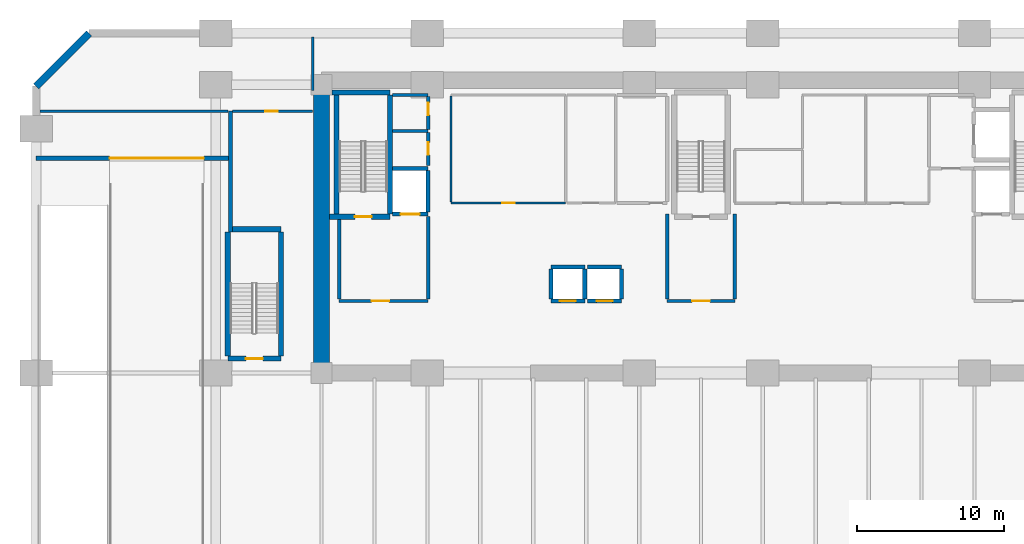
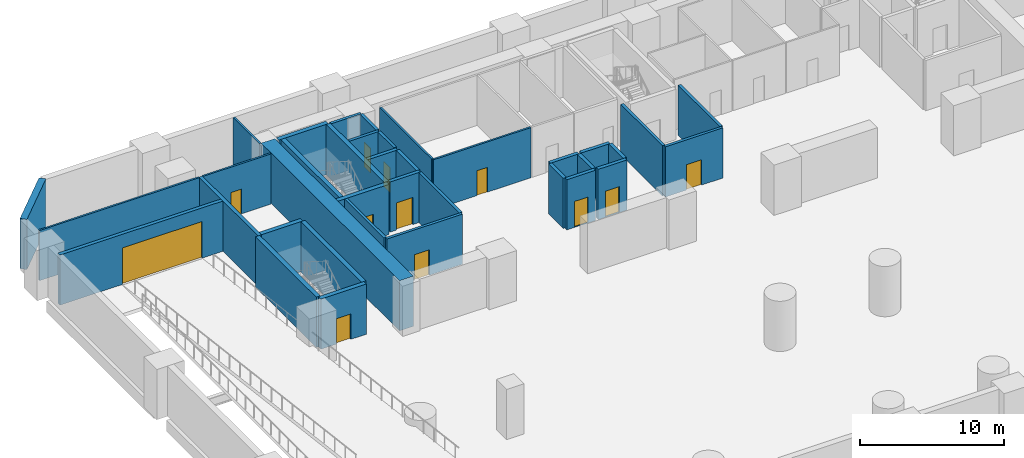
# One storey, part 3 of 9: 37 walls, 12 doors, 12 openings.
"""IFC4 building model written with IfcOpenShell, lengths in metres."""

from ifc_helpers import new_model, si_unit, direction, frame, frame_2d, origin, place, context, subcontext, project, spatial, rectangle, extrude, material, layer, layer_set, type_object, element, fill, save


model = new_model("IFC4")

# Units and contexts
model_context = context("Model", 3, precision=1e-05, world=origin(), true_north=direction((0.0, 1.0)))
body_context = subcontext(model_context, "Body", "Model", "MODEL_VIEW")
ifc_project = project(units=[si_unit("LENGTHUNIT", "METRE"), si_unit("AREAUNIT", "SQUARE_METRE"), si_unit("VOLUMEUNIT", "CUBIC_METRE"), si_unit("PLANEANGLEUNIT", "RADIAN"), si_unit("MASSUNIT", "GRAM", prefix="KILO")], contexts=[model_context])

# Site, building, storey
site_placement = place(None, origin())
site = spatial("IfcSite", under=ifc_project, at=site_placement, CompositionType="ELEMENT")
building_placement = place(site_placement, origin())
building = spatial("IfcBuilding", under=site, at=building_placement, Name="Kaelvorn Grand Hotel", CompositionType="ELEMENT")
storey_placement = place(building_placement, frame((0.0, 0.0, -4.60009765625)))
storey = spatial("IfcBuildingStorey", under=building, at=storey_placement, Name="B01", CompositionType="ELEMENT", Elevation=-4.60009765625)

# Wall
ifc_material_1 = material(Name="Concrete C80/95", Category="concrete")
ifc_layer_1 = layer(ifc_material_1, 1.10009765625)
ifc_layer_set_1 = layer_set([ifc_layer_1], Name="Concrete C80/95")
wall_type_1 = type_object("IfcWallType", Name="WL-CORE-1100-C80", PredefinedType="SHEAR", material=ifc_layer_set_1)
wall_1_placement = place(storey_placement, frame((16.199951171875, 29.39990234375, 0.0), z_axis=(0.0, 0.0, 1.0), x_axis=(0.0, 1.0, 0.0)))
element("IfcWall", 1, at=wall_1_placement, inside=storey, type_object=wall_type_1, Name="B01 Rear-Core West Shear Wall", PredefinedType="SHEAR", context=body_context, shape_type="SweptSolid", body=[
    extrude(rectangle(XDim=19.2001953125, YDim=1.10009765625, at=frame_2d((9.60009765625, 0.0))), origin(), (0.0, 0.0, 1.0), 4.25),
])

# Wall, opening, door
ifc_material_2 = material(Name="Concrete C40/50", Category="concrete")
ifc_layer_2 = layer(ifc_material_2, 0.280029296875)
ifc_layer_set_2 = layer_set([ifc_layer_2], Name="Concrete C40/50")
wall_type_2 = type_object("IfcWallType", Name="WL-EXT-280-C40", PredefinedType="SOLIDWALL", material=ifc_layer_set_2)
wall_2_placement = place(storey_placement, frame((-3.199951171875, 44.0, 0.0), z_axis=(0.0, 0.0, 1.0), x_axis=(1.0, 0.0, 0.0)))
wall_2 = element("IfcWall", 2, at=wall_2_placement, inside=storey, type_object=wall_type_2, Name="B01 Car Park Ramp Compartment Wall", PredefinedType="SOLIDWALL", context=body_context, shape_type="SweptSolid", body=[
    extrude(rectangle(XDim=13.199951171875, YDim=0.280029296875, at=frame_2d((6.60009765625, 0.0))), origin(), (0.0, 0.0, 1.0), 4.25),
])
opening_1_placement = place(wall_2_placement, frame((5.0, 0.0, 0.0)))
opening_1 = element("IfcOpeningElement", 3, at=opening_1_placement, cuts=wall_2, Name="Opening SHUTTER-B01", PredefinedType="OPENING", context=body_context, shape_type="SweptSolid", body=[
    extrude(rectangle(XDim=6.39990234375, YDim=3.10009765625, at=frame_2d((3.199951171875, 1.550048828125))), frame((0.0, 0.14990234375, 0.0), z_axis=(0.0, -1.0, 0.0), x_axis=(1.0, 0.0, 0.0)), (0.0, 0.0, 1.0), 0.300048828125),
])
ifc_material_3 = material(Name="Anodised Aluminium", Category="aluminium")
door_type_1 = type_object("IfcDoorType", Name="GT-SHUTTER-BSMT-6400x3100", OperationType="NOTDEFINED", PredefinedType="GATE", material=ifc_material_3)
door_1_placement = place(opening_1_placement, origin())
door_1 = element("IfcDoor", 4, at=door_1_placement, inside=storey, type_object=door_type_1, Name="B01 Car Park Fire Compartment Roller Shutter SHUTTER-B01", OperationType="SINGLE_SWING_LEFT", OverallHeight=3.10009765625, OverallWidth=6.39990234375, PredefinedType="GATE", context=body_context, shape_type="SweptSolid", body=[
    extrude(rectangle(XDim=6.39990234375, YDim=3.10009765625, at=frame_2d((3.199951171875, 1.550048828125))), frame((0.0, 0.02490234375, 0.0), z_axis=(0.0, -1.0, 0.0), x_axis=(1.0, 0.0, 0.0)), (0.0, 0.0, 1.0), 0.050048828125),
])
fill(opening_1, door_1)

# Wall
wall_3_placement = place(storey_placement, frame((10.0, 39.0, 0.0), z_axis=(0.0, 0.0, 1.0), x_axis=(0.0, 1.0, 0.0)))
element("IfcWall", 5, at=wall_3_placement, inside=storey, type_object=wall_type_2, Name="B01 Car Park Ramp Compartment Return Wall", PredefinedType="SOLIDWALL", context=body_context, shape_type="SweptSolid", body=[
    extrude(rectangle(XDim=8.199951171875, YDim=0.280029296875, at=frame_2d((4.10009765625, 0.0))), origin(), (0.0, 0.0, 1.0), 4.25),
])

# Wall, opening, door
ifc_material_4 = material(Name="Acoustic Gypsum & Stud Partition")
ifc_layer_3 = layer(ifc_material_4, 0.14990234375)
ifc_layer_set_3 = layer_set([ifc_layer_3], Name="Acoustic Gypsum & Stud Partition")
wall_type_3 = type_object("IfcWallType", Name="WL-PART-150-EI60", PredefinedType="PARTITIONING", material=ifc_layer_set_3)
wall_4_placement = place(storey_placement, frame((25.0, 40.949951171875, 0.0), z_axis=(0.0, 0.0, 1.0), x_axis=(1.0, 0.0, 0.0)))
wall_4 = element("IfcWall", 6, at=wall_4_placement, inside=storey, type_object=wall_type_3, Name="B01 Housekeeping & Cleaner Store S Partition", PredefinedType="PARTITIONING", context=body_context, shape_type="SweptSolid", body=[
    extrude(rectangle(XDim=7.800048828125, YDim=0.14990234375, at=frame_2d((3.89990234375, 0.0))), origin(), (0.0, 0.0, 1.0), 4.25),
])
opening_2_placement = place(wall_4_placement, frame((3.47509765625, 0.0, 0.0)))
opening_2 = element("IfcOpeningElement", 7, at=opening_2_placement, cuts=wall_4, Name="Opening DI7", PredefinedType="OPENING", context=body_context, shape_type="SweptSolid", body=[
    extrude(rectangle(XDim=0.85009765625, YDim=2.10009765625, at=frame_2d((0.425048828125, 1.050048828125))), frame((0.0, 0.0849609375, 0.0), z_axis=(0.0, -1.0, 0.0), x_axis=(1.0, 0.0, 0.0)), (0.0, 0.0, 1.0), 0.169921875),
])
ifc_material_5 = material(Name="Powder-Coated Steel Leaf", Category="steel")
door_type_2 = type_object("IfcDoorType", Name="DR-INT-RISER-850x2100", OperationType="NOTDEFINED", PredefinedType="DOOR", material=ifc_material_5)
door_2_placement = place(opening_2_placement, origin())
door_2 = element("IfcDoor", 8, at=door_2_placement, inside=storey, type_object=door_type_2, Name="B01 Housekeeping & Cleaner Store Door", OperationType="SINGLE_SWING_RIGHT", OverallHeight=2.10009765625, OverallWidth=0.85009765625, PredefinedType="DOOR", context=body_context, shape_type="SweptSolid", body=[
    extrude(rectangle(XDim=0.85009765625, YDim=2.10009765625, at=frame_2d((0.425048828125, 1.050048828125))), frame((0.0, 0.02490234375, 0.0), z_axis=(0.0, -1.0, 0.0), x_axis=(1.0, 0.0, 0.0)), (0.0, 0.0, 1.0), 0.050048828125),
])
fill(opening_2, door_2)

# Walls
wall_5_placement = place(storey_placement, frame((25.0, 41.030029296875, 0.0), z_axis=(0.0, 0.0, 1.0), x_axis=(0.0, 1.0, 0.0)))
element("IfcWall", 9, at=wall_5_placement, inside=storey, type_object=wall_type_3, Name="B01 Housekeeping & Cleaner Store W Partition", PredefinedType="PARTITIONING", context=body_context, shape_type="SweptSolid", body=[
    extrude(rectangle(XDim=7.18994140625, YDim=0.14990234375, at=frame_2d((3.594970703125, 0.0))), origin(), (0.0, 0.0, 1.0), 4.25),
])
wall_6_placement = place(storey_placement, frame((-2.945068359375, 47.199951171875, 0.0), z_axis=(0.0, 0.0, 1.0), x_axis=(1.0, 0.0, 0.0)))
element("IfcWall", 10, at=wall_6_placement, inside=storey, type_object=wall_type_3, Name="B01 Central Hotel Laundry & Uniform Store S Partition (1)", PredefinedType="PARTITIONING", context=body_context, shape_type="SweptSolid", body=[
    extrude(rectangle(XDim=12.800048828125, YDim=0.14990234375, at=frame_2d((6.39990234375, 0.0))), origin(), (0.0, 0.0, 1.0), 4.25),
])

# Wall, opening, door
wall_7_placement = place(storey_placement, frame((10.14501953125, 47.199951171875, 0.0), z_axis=(0.0, 0.0, 1.0), x_axis=(1.0, 0.0, 0.0)))
wall_7 = element("IfcWall", 11, at=wall_7_placement, inside=storey, type_object=wall_type_3, Name="B01 Central Hotel Laundry & Uniform Store S Partition (2)", PredefinedType="PARTITIONING", context=body_context, shape_type="SweptSolid", body=[
    extrude(rectangle(XDim=5.455078125, YDim=0.14990234375, at=frame_2d((2.7275390625, 0.0))), origin(), (0.0, 0.0, 1.0), 4.25),
])
opening_3_placement = place(wall_7_placement, frame((2.22998046875, 0.0, 0.0)))
opening_3 = element("IfcOpeningElement", 12, at=opening_3_placement, cuts=wall_7, Name="Opening DI7", PredefinedType="OPENING", context=body_context, shape_type="SweptSolid", body=[
    extrude(rectangle(XDim=0.85009765625, YDim=2.10009765625, at=frame_2d((0.425048828125, 1.050048828125))), frame((0.0, 0.0849609375, 0.0), z_axis=(0.0, -1.0, 0.0), x_axis=(1.0, 0.0, 0.0)), (0.0, 0.0, 1.0), 0.169921875),
])
door_3_placement = place(opening_3_placement, origin())
door_3 = element("IfcDoor", 13, at=door_3_placement, inside=storey, type_object=door_type_2, Name="B01 Central Hotel Laundry & Uniform Store Door", OperationType="SINGLE_SWING_RIGHT", OverallHeight=2.10009765625, OverallWidth=0.85009765625, PredefinedType="DOOR", context=body_context, shape_type="SweptSolid", body=[
    extrude(rectangle(XDim=0.85009765625, YDim=2.10009765625, at=frame_2d((0.425048828125, 1.050048828125))), frame((0.0, 0.02490234375, 0.0), z_axis=(0.0, -1.0, 0.0), x_axis=(1.0, 0.0, 0.0)), (0.0, 0.0, 1.0), 0.050048828125),
])
fill(opening_3, door_3)

# Wall
wall_8_placement = place(storey_placement, frame((15.60009765625, 48.610107421875, 0.0), z_axis=(0.0, 0.0, 1.0), x_axis=(0.0, 1.0, 0.0)))
element("IfcWall", 14, at=wall_8_placement, inside=storey, type_object=wall_type_3, Name="B01 Central Hotel Laundry & Uniform Store E Partition", PredefinedType="PARTITIONING", context=body_context, shape_type="SweptSolid", body=[
    extrude(rectangle(XDim=3.635009765625, YDim=0.14990234375, at=frame_2d((1.8173828125, 0.0))), origin(), (0.0, 0.0, 1.0), 4.25),
])

# Wall, opening, door
ifc_layer_4 = layer(ifc_material_2, 0.219970703125)
ifc_layer_set_4 = layer_set([ifc_layer_4], Name="Concrete C40/50")
wall_type_4 = type_object("IfcWallType", Name="WL-PART-220-EI120", PredefinedType="PARTITIONING", material=ifc_layer_set_4)
wall_9_placement = place(storey_placement, frame((17.39990234375, 34.300048828125, 0.0), z_axis=(0.0, 0.0, 1.0), x_axis=(1.0, 0.0, 0.0)))
wall_9 = element("IfcWall", 15, at=wall_9_placement, inside=storey, type_object=wall_type_4, Name="B01 Firefighting Lift Lobby 1 S Partition", PredefinedType="PARTITIONING", context=body_context, shape_type="SweptSolid", body=[
    extrude(rectangle(XDim=6.050048828125, YDim=0.219970703125, at=frame_2d((3.02490234375, 0.0))), origin(), (0.0, 0.0, 1.0), 4.25),
])
opening_4_placement = place(wall_9_placement, frame((2.199951171875, 0.0, 0.0)))
opening_4 = element("IfcOpeningElement", 16, at=opening_4_placement, cuts=wall_9, Name="Opening DI2", PredefinedType="OPENING", context=body_context, shape_type="SweptSolid", body=[
    extrude(rectangle(XDim=1.199951171875, YDim=2.14990234375, at=frame_2d((0.60009765625, 1.074951171875))), frame((0.0, 0.1201171875, 0.0), z_axis=(0.0, -1.0, 0.0), x_axis=(1.0, 0.0, 0.0)), (0.0, 0.0, 1.0), 0.239990234375),
])
ifc_material_6 = material(Name="Timber Veneer Fire Leaf", Category="wood")
door_type_3 = type_object("IfcDoorType", Name="DR-INT-FFLOB-1200x2150", OperationType="NOTDEFINED", PredefinedType="DOOR", material=ifc_material_6)
door_4_placement = place(opening_4_placement, origin())
door_4 = element("IfcDoor", 17, at=door_4_placement, inside=storey, type_object=door_type_3, Name="B01 Firefighting Lift Lobby 1 Door", OperationType="SINGLE_SWING_RIGHT", OverallHeight=2.14990234375, OverallWidth=1.199951171875, PredefinedType="DOOR", context=body_context, shape_type="SweptSolid", body=[
    extrude(rectangle(XDim=1.199951171875, YDim=2.14990234375, at=frame_2d((0.60009765625, 1.074951171875))), frame((0.0, 0.02490234375, 0.0), z_axis=(0.0, -1.0, 0.0), x_axis=(1.0, 0.0, 0.0)), (0.0, 0.0, 1.0), 0.050048828125),
])
fill(opening_4, door_4)

# Walls
wall_10_placement = place(storey_placement, frame((17.39990234375, 34.4150390625, 0.0), z_axis=(0.0, 0.0, 1.0), x_axis=(0.0, 1.0, 0.0)))
element("IfcWall", 18, at=wall_10_placement, inside=storey, type_object=wall_type_4, Name="B01 Firefighting Lift Lobby 1 W Partition", PredefinedType="PARTITIONING", context=body_context, shape_type="SweptSolid", body=[
    extrude(rectangle(XDim=5.429931640625, YDim=0.219970703125, at=frame_2d((2.71484375, 0.0))), origin(), (0.0, 0.0, 1.0), 4.25),
])
wall_11_placement = place(storey_placement, frame((23.449951171875, 34.4150390625, 0.0), z_axis=(0.0, 0.0, 1.0), x_axis=(0.0, 1.0, 0.0)))
element("IfcWall", 19, at=wall_11_placement, inside=storey, type_object=wall_type_4, Name="B01 Firefighting Lift Lobby 1 E Partition", PredefinedType="PARTITIONING", context=body_context, shape_type="SweptSolid", body=[
    extrude(rectangle(XDim=5.639892578125, YDim=0.219970703125, at=frame_2d((2.81982421875, 0.0))), origin(), (0.0, 0.0, 1.0), 4.25),
])

# Wall, opening, door
wall_12_placement = place(storey_placement, frame((39.699951171875, 34.300048828125, 0.0), z_axis=(0.0, 0.0, 1.0), x_axis=(1.0, 0.0, 0.0)))
wall_12 = element("IfcWall", 20, at=wall_12_placement, inside=storey, type_object=wall_type_4, Name="B01 Central Stair Escape Vestibule S Partition", PredefinedType="PARTITIONING", context=body_context, shape_type="SweptSolid", body=[
    extrude(rectangle(XDim=4.60009765625, YDim=0.219970703125, at=frame_2d((2.300048828125, 0.0))), origin(), (0.0, 0.0, 1.0), 4.25),
])
opening_5_placement = place(wall_12_placement, frame((1.699951171875, 0.0, 0.0)))
opening_5 = element("IfcOpeningElement", 21, at=opening_5_placement, cuts=wall_12, Name="Opening DI2", PredefinedType="OPENING", context=body_context, shape_type="SweptSolid", body=[
    extrude(rectangle(XDim=1.199951171875, YDim=2.14990234375, at=frame_2d((0.60009765625, 1.074951171875))), frame((0.0, 0.1201171875, 0.0), z_axis=(0.0, -1.0, 0.0), x_axis=(1.0, 0.0, 0.0)), (0.0, 0.0, 1.0), 0.239990234375),
])
door_5_placement = place(opening_5_placement, origin())
door_5 = element("IfcDoor", 22, at=door_5_placement, inside=storey, type_object=door_type_3, Name="B01 Central Stair Escape Vestibule Door", OperationType="SINGLE_SWING_RIGHT", OverallHeight=2.14990234375, OverallWidth=1.199951171875, PredefinedType="DOOR", context=body_context, shape_type="SweptSolid", body=[
    extrude(rectangle(XDim=1.199951171875, YDim=2.14990234375, at=frame_2d((0.60009765625, 1.074951171875))), frame((0.0, 0.02490234375, 0.0), z_axis=(0.0, -1.0, 0.0), x_axis=(1.0, 0.0, 0.0)), (0.0, 0.0, 1.0), 0.050048828125),
])
fill(opening_5, door_5)

# Walls
for number, where, z_axis, x_axis, name in (
    (23, (39.699951171875, 34.4150390625, 0.0), (0.0, 0.0, 1.0), (0.0, 1.0, 0.0), "B01 Central Stair Escape Vestibule W Partition"),
    (24, (44.300048828125, 34.4150390625, 0.0), (0.0, 0.0, 1.0), (0.0, 1.0, 0.0), "B01 Central Stair Escape Vestibule E Partition"),
):
    element("IfcWall", number, at=place(storey_placement, frame(where, z_axis=z_axis, x_axis=x_axis)), inside=storey, type_object=wall_type_4, Name=name, PredefinedType="PARTITIONING", context=body_context, shape_type="SweptSolid", body=[
        extrude(rectangle(XDim=5.784912109375, YDim=0.219970703125, at=frame_2d((2.892578125, 0.0))), origin(), (0.0, 0.0, 1.0), 4.25),
    ])
wall_13_placement = place(storey_placement, frame((21.034912109375, 45.85009765625, 0.0), z_axis=(0.0, 0.0, 1.0), x_axis=(1.0, 0.0, 0.0)))
element("IfcWall", 25, at=wall_13_placement, inside=storey, type_object=wall_type_4, Name="B01 Wet Fire & Plumbing Riser Shaft N Partition", PredefinedType="PARTITIONING", context=body_context, shape_type="SweptSolid", body=[
    extrude(rectangle(XDim=2.4150390625, YDim=0.219970703125, at=frame_2d((1.20751953125, 0.0))), origin(), (0.0, 0.0, 1.0), 4.25),
])

# Wall, opening, door
wall_14_placement = place(storey_placement, frame((23.449951171875, 43.5, 0.0), z_axis=(0.0, 0.0, 1.0), x_axis=(0.0, 1.0, 0.0)))
wall_14 = element("IfcWall", 26, at=wall_14_placement, inside=storey, type_object=wall_type_4, Name="B01 Wet Fire & Plumbing Riser Shaft E Partition", PredefinedType="PARTITIONING", context=body_context, shape_type="SweptSolid", body=[
    extrude(rectangle(XDim=2.235107421875, YDim=0.219970703125, at=frame_2d((1.11767578125, 0.0))), origin(), (0.0, 0.0, 1.0), 4.25),
])
opening_6_placement = place(wall_14_placement, frame((0.72509765625, 0.0, 0.0)))
opening_6 = element("IfcOpeningElement", 27, at=opening_6_placement, cuts=wall_14, Name="Opening DI7", PredefinedType="OPENING", context=body_context, shape_type="SweptSolid", body=[
    extrude(rectangle(XDim=0.85009765625, YDim=2.10009765625, at=frame_2d((0.425048828125, 1.050048828125))), frame((0.0, 0.1201171875, 0.0), z_axis=(0.0, -1.0, 0.0), x_axis=(1.0, 0.0, 0.0)), (0.0, 0.0, 1.0), 0.239990234375),
])
door_6_placement = place(opening_6_placement, origin())
door_6 = element("IfcDoor", 28, at=door_6_placement, inside=storey, type_object=door_type_2, Name="B01 Wet Fire & Plumbing Riser Shaft Door", OperationType="SINGLE_SWING_RIGHT", OverallHeight=2.10009765625, OverallWidth=0.85009765625, PredefinedType="DOOR", context=body_context, shape_type="SweptSolid", body=[
    extrude(rectangle(XDim=0.85009765625, YDim=2.10009765625, at=frame_2d((0.425048828125, 1.050048828125))), frame((0.0, 0.02490234375, 0.0), z_axis=(0.0, -1.0, 0.0), x_axis=(1.0, 0.0, 0.0)), (0.0, 0.0, 1.0), 0.050048828125),
])
fill(opening_6, door_6)

# Wall
wall_15_placement = place(storey_placement, frame((21.034912109375, 48.300048828125, 0.0), z_axis=(0.0, 0.0, 1.0), x_axis=(1.0, 0.0, 0.0)))
element("IfcWall", 29, at=wall_15_placement, inside=storey, type_object=wall_type_4, Name="B01 HV Electrical & Smoke Riser N Partition", PredefinedType="PARTITIONING", context=body_context, shape_type="SweptSolid", body=[
    extrude(rectangle(XDim=2.4150390625, YDim=0.219970703125, at=frame_2d((1.20751953125, 0.0))), origin(), (0.0, 0.0, 1.0), 4.25),
])

# Wall, opening, door
wall_16_placement = place(storey_placement, frame((23.449951171875, 45.965087890625, 0.0), z_axis=(0.0, 0.0, 1.0), x_axis=(0.0, 1.0, 0.0)))
wall_16 = element("IfcWall", 30, at=wall_16_placement, inside=storey, type_object=wall_type_4, Name="B01 HV Electrical & Smoke Riser E Partition", PredefinedType="PARTITIONING", context=body_context, shape_type="SweptSolid", body=[
    extrude(rectangle(XDim=2.219970703125, YDim=0.219970703125, at=frame_2d((1.10986328125, 0.0))), origin(), (0.0, 0.0, 1.0), 4.25),
])
opening_7_placement = place(wall_16_placement, frame((0.9599609375, 0.0, 0.0)))
opening_7 = element("IfcOpeningElement", 31, at=opening_7_placement, cuts=wall_16, Name="Opening DI7", PredefinedType="OPENING", context=body_context, shape_type="SweptSolid", body=[
    extrude(rectangle(XDim=0.85009765625, YDim=2.10009765625, at=frame_2d((0.425048828125, 1.050048828125))), frame((0.0, 0.1201171875, 0.0), z_axis=(0.0, -1.0, 0.0), x_axis=(1.0, 0.0, 0.0)), (0.0, 0.0, 1.0), 0.239990234375),
])
door_7_placement = place(opening_7_placement, origin())
door_7 = element("IfcDoor", 32, at=door_7_placement, inside=storey, type_object=door_type_2, Name="B01 HV Electrical & Smoke Riser Door", OperationType="SINGLE_SWING_LEFT", OverallHeight=2.10009765625, OverallWidth=0.85009765625, PredefinedType="DOOR", context=body_context, shape_type="SweptSolid", body=[
    extrude(rectangle(XDim=0.85009765625, YDim=2.10009765625, at=frame_2d((0.425048828125, 1.050048828125))), frame((0.0, 0.02490234375, 0.0), z_axis=(0.0, -1.0, 0.0), x_axis=(1.0, 0.0, 0.0)), (0.0, 0.0, 1.0), 0.050048828125),
])
fill(opening_7, door_7)

# Wall
ifc_material_7 = material(Name="Concrete C50/60", Category="concrete")
ifc_layer_5 = layer(ifc_material_7, 0.5)
ifc_layer_set_5 = layer_set([ifc_layer_5], Name="Concrete C50/60")
wall_type_5 = type_object("IfcWallType", Name="WL-RET-500-C50", PredefinedType="USERDEFINED", material=ifc_layer_set_5)
wall_17_placement = place(storey_placement, frame((0.39990234375, 52.5, 0.0), z_axis=(0.0, 0.0, 1.0), x_axis=(-0.707082803744, -0.707130757816, 0.0)))
element("IfcWall", 33, at=wall_17_placement, inside=storey, type_object=wall_type_5, Name="B01 Perimeter Tanked Retaining Wall 06", ObjectType="RETAININGWALL", PredefinedType="USERDEFINED", context=body_context, shape_type="SweptSolid", body=[
    extrude(rectangle(XDim=5.091064453125, YDim=0.5, at=frame_2d((2.54541015625, 0.0))), origin(), (0.0, 0.0, 1.0), 4.25),
])

# Wall, opening, door
ifc_layer_6 = layer(ifc_material_7, 0.280029296875)
ifc_layer_set_6 = layer_set([ifc_layer_6], Name="Concrete C50/60")
wall_type_6 = type_object("IfcWallType", Name="WL-SHAFT-280-C50", PredefinedType="SHEAR", material=ifc_layer_set_6)
wall_18_placement = place(storey_placement, frame((31.800048828125, 34.300048828125, 0.0), z_axis=(0.0, 0.0, 1.0), x_axis=(1.0, 0.0, 0.0)))
wall_18 = element("IfcWall", 34, at=wall_18_placement, inside=storey, type_object=wall_type_6, Name="B01 Lift PK-1 Shaft South Wall", PredefinedType="SHEAR", context=body_context, shape_type="SweptSolid", body=[
    extrude(rectangle(XDim=2.300048828125, YDim=0.280029296875, at=frame_2d((1.14990234375, 0.0))), origin(), (0.0, 0.0, 1.0), 4.25),
])
opening_8_placement = place(wall_18_placement, frame((0.60009765625, 0.0, 0.0)))
opening_8 = element("IfcOpeningElement", 35, at=opening_8_placement, cuts=wall_18, Name="Opening LD-PK-1", PredefinedType="OPENING", context=body_context, shape_type="SweptSolid", body=[
    extrude(rectangle(XDim=1.10009765625, YDim=2.199951171875, at=frame_2d((0.550048828125, 1.10009765625))), frame((0.0, 0.14990234375, 0.0), z_axis=(0.0, -1.0, 0.0), x_axis=(1.0, 0.0, 0.0)), (0.0, 0.0, 1.0), 0.300048828125),
])
ifc_material_8 = material(Name="Stainless Steel", Category="steel")
door_type_4 = type_object("IfcDoorType", Name="DR-LIFT-PASS-1100x2200", OperationType="DOUBLE_DOOR_SLIDING", PredefinedType="DOOR", material=ifc_material_8)
door_8_placement = place(opening_8_placement, origin())
door_8 = element("IfcDoor", 36, at=door_8_placement, inside=storey, type_object=door_type_4, Name="B01 Lift PK-1 Sliding Landing Door LD-PK-1", OperationType="DOUBLE_DOOR_SLIDING", OverallHeight=2.199951171875, OverallWidth=1.10009765625, PredefinedType="DOOR", context=body_context, shape_type="SweptSolid", body=[
    extrude(rectangle(XDim=1.10009765625, YDim=2.199951171875, at=frame_2d((0.550048828125, 1.10009765625))), frame((0.0, 0.02490234375, 0.0), z_axis=(0.0, -1.0, 0.0), x_axis=(1.0, 0.0, 0.0)), (0.0, 0.0, 1.0), 0.050048828125),
])
fill(opening_8, door_8)

# Walls
wall_19_placement = place(storey_placement, frame((31.800048828125, 36.60009765625, 0.0), z_axis=(0.0, 0.0, 1.0), x_axis=(1.0, 0.0, 0.0)))
element("IfcWall", 37, at=wall_19_placement, inside=storey, type_object=wall_type_6, Name="B01 Lift PK-1 Shaft North Wall", PredefinedType="SHEAR", context=body_context, shape_type="SweptSolid", body=[
    extrude(rectangle(XDim=2.300048828125, YDim=0.280029296875, at=frame_2d((1.14990234375, 0.0))), origin(), (0.0, 0.0, 1.0), 4.25),
])
for number, where, z_axis, x_axis, name in (
    (38, (31.800048828125, 34.445068359375, 0.0), (0.0, 0.0, 1.0), (0.0, 1.0, 0.0), "B01 Lift PK-1 Shaft West Wall"),
    (39, (34.10009765625, 34.445068359375, 0.0), (0.0, 0.0, 1.0), (0.0, 1.0, 0.0), "B01 Lift PK-1 Shaft East Wall"),
):
    element("IfcWall", number, at=place(storey_placement, frame(where, z_axis=z_axis, x_axis=x_axis)), inside=storey, type_object=wall_type_6, Name=name, PredefinedType="SHEAR", context=body_context, shape_type="SweptSolid", body=[
        extrude(rectangle(XDim=2.010009765625, YDim=0.280029296875, at=frame_2d((1.0048828125, 0.0))), origin(), (0.0, 0.0, 1.0), 4.25),
    ])

# Wall, opening, door
wall_20_placement = place(storey_placement, frame((34.300048828125, 34.300048828125, 0.0), z_axis=(0.0, 0.0, 1.0), x_axis=(1.0, 0.0, 0.0)))
wall_20 = element("IfcWall", 40, at=wall_20_placement, inside=storey, type_object=wall_type_6, Name="B01 Lift PK-2 Shaft South Wall", PredefinedType="SHEAR", context=body_context, shape_type="SweptSolid", body=[
    extrude(rectangle(XDim=2.300048828125, YDim=0.280029296875, at=frame_2d((1.14990234375, 0.0))), origin(), (0.0, 0.0, 1.0), 4.25),
])
opening_9_placement = place(wall_20_placement, frame((0.60009765625, 0.0, 0.0)))
opening_9 = element("IfcOpeningElement", 41, at=opening_9_placement, cuts=wall_20, Name="Opening LD-PK-2", PredefinedType="OPENING", context=body_context, shape_type="SweptSolid", body=[
    extrude(rectangle(XDim=1.10009765625, YDim=2.199951171875, at=frame_2d((0.550048828125, 1.10009765625))), frame((0.0, 0.14990234375, 0.0), z_axis=(0.0, -1.0, 0.0), x_axis=(1.0, 0.0, 0.0)), (0.0, 0.0, 1.0), 0.300048828125),
])
door_9_placement = place(opening_9_placement, origin())
door_9 = element("IfcDoor", 42, at=door_9_placement, inside=storey, type_object=door_type_4, Name="B01 Lift PK-2 Sliding Landing Door LD-PK-2", OperationType="DOUBLE_DOOR_SLIDING", OverallHeight=2.199951171875, OverallWidth=1.10009765625, PredefinedType="DOOR", context=body_context, shape_type="SweptSolid", body=[
    extrude(rectangle(XDim=1.10009765625, YDim=2.199951171875, at=frame_2d((0.550048828125, 1.10009765625))), frame((0.0, 0.02490234375, 0.0), z_axis=(0.0, -1.0, 0.0), x_axis=(1.0, 0.0, 0.0)), (0.0, 0.0, 1.0), 0.050048828125),
])
fill(opening_9, door_9)

# Walls
wall_21_placement = place(storey_placement, frame((34.300048828125, 36.60009765625, 0.0), z_axis=(0.0, 0.0, 1.0), x_axis=(1.0, 0.0, 0.0)))
element("IfcWall", 43, at=wall_21_placement, inside=storey, type_object=wall_type_6, Name="B01 Lift PK-2 Shaft North Wall", PredefinedType="SHEAR", context=body_context, shape_type="SweptSolid", body=[
    extrude(rectangle(XDim=2.300048828125, YDim=0.280029296875, at=frame_2d((1.14990234375, 0.0))), origin(), (0.0, 0.0, 1.0), 4.25),
])
wall_22_placement = place(storey_placement, frame((36.60009765625, 34.445068359375, 0.0), z_axis=(0.0, 0.0, 1.0), x_axis=(0.0, 1.0, 0.0)))
element("IfcWall", 44, at=wall_22_placement, inside=storey, type_object=wall_type_6, Name="B01 Lift PK-2 Shaft East Wall", PredefinedType="SHEAR", context=body_context, shape_type="SweptSolid", body=[
    extrude(rectangle(XDim=2.010009765625, YDim=0.280029296875, at=frame_2d((1.0048828125, 0.0))), origin(), (0.0, 0.0, 1.0), 4.25),
])

# Wall, opening, door
wall_23_placement = place(storey_placement, frame((21.034912109375, 40.199951171875, 0.0), z_axis=(0.0, 0.0, 1.0), x_axis=(1.0, 0.0, 0.0)))
wall_23 = element("IfcWall", 45, at=wall_23_placement, inside=storey, type_object=wall_type_6, Name="B01 Lift FFL1 Shaft South Wall", PredefinedType="SHEAR", context=body_context, shape_type="SweptSolid", body=[
    extrude(rectangle(XDim=2.4150390625, YDim=0.280029296875, at=frame_2d((1.20751953125, 0.0))), origin(), (0.0, 0.0, 1.0), 4.25),
])
opening_10_placement = place(wall_23_placement, frame((0.5400390625, 0.0, 0.0)))
opening_10 = element("IfcOpeningElement", 46, at=opening_10_placement, cuts=wall_23, Name="Opening LD-FFL1", PredefinedType="OPENING", context=body_context, shape_type="SweptSolid", body=[
    extrude(rectangle(XDim=1.300048828125, YDim=2.300048828125, at=frame_2d((0.64990234375, 1.14990234375))), frame((0.0, 0.14990234375, 0.0), z_axis=(0.0, -1.0, 0.0), x_axis=(1.0, 0.0, 0.0)), (0.0, 0.0, 1.0), 0.300048828125),
])
door_type_5 = type_object("IfcDoorType", Name="DR-LIFT-SERV-1300x2300", OperationType="DOUBLE_DOOR_SLIDING", PredefinedType="DOOR", material=ifc_material_8)
door_10_placement = place(opening_10_placement, origin())
door_10 = element("IfcDoor", 47, at=door_10_placement, inside=storey, type_object=door_type_5, Name="B01 Lift FFL1 Sliding Landing Door LD-FFL1", OperationType="DOUBLE_DOOR_SLIDING", OverallHeight=2.300048828125, OverallWidth=1.300048828125, PredefinedType="DOOR", context=body_context, shape_type="SweptSolid", body=[
    extrude(rectangle(XDim=1.300048828125, YDim=2.300048828125, at=frame_2d((0.64990234375, 1.14990234375))), frame((0.0, 0.02490234375, 0.0), z_axis=(0.0, -1.0, 0.0), x_axis=(1.0, 0.0, 0.0)), (0.0, 0.0, 1.0), 0.050048828125),
])
fill(opening_10, door_10)

# Walls
wall_24_placement = place(storey_placement, frame((21.034912109375, 43.300048828125, 0.0), z_axis=(0.0, 0.0, 1.0), x_axis=(1.0, 0.0, 0.0)))
element("IfcWall", 48, at=wall_24_placement, inside=storey, type_object=wall_type_6, Name="B01 Lift FFL1 Shaft North Wall", PredefinedType="SHEAR", context=body_context, shape_type="SweptSolid", body=[
    extrude(rectangle(XDim=2.4150390625, YDim=0.280029296875, at=frame_2d((1.20751953125, 0.0))), origin(), (0.0, 0.0, 1.0), 4.25),
])
wall_25_placement = place(storey_placement, frame((23.449951171875, 40.344970703125, 0.0), z_axis=(0.0, 0.0, 1.0), x_axis=(0.0, 1.0, 0.0)))
element("IfcWall", 49, at=wall_25_placement, inside=storey, type_object=wall_type_6, Name="B01 Lift FFL1 Shaft East Wall", PredefinedType="SHEAR", context=body_context, shape_type="SweptSolid", body=[
    extrude(rectangle(XDim=2.81005859375, YDim=0.280029296875, at=frame_2d((1.405029296875, 0.0))), origin(), (0.0, 0.0, 1.0), 4.25),
])

# Wall, opening, door
ifc_material_9 = material(Name="Concrete C60/75", Category="concrete")
ifc_layer_7 = layer(ifc_material_9, 0.35009765625)
ifc_layer_set_7 = layer_set([ifc_layer_7], Name="Concrete C60/75")
wall_type_7 = type_object("IfcWallType", Name="WL-SHAFT-350-C60", PredefinedType="SHEAR", material=ifc_layer_set_7)
wall_26_placement = place(storey_placement, frame((16.7548828125, 40.02490234375, 0.0), z_axis=(0.0, 0.0, 1.0), x_axis=(1.0, 0.0, 0.0)))
wall_26 = element("IfcWall", 50, at=wall_26_placement, inside=storey, type_object=wall_type_7, Name="B01 ST1 Stair Shaft South Wall", PredefinedType="SHEAR", context=body_context, shape_type="SweptSolid", body=[
    extrude(rectangle(XDim=4.10009765625, YDim=0.35009765625, at=frame_2d((2.050048828125, 0.0))), origin(), (0.0, 0.0, 1.0), 4.25),
])
opening_11_placement = place(wall_26_placement, frame((1.7099609375, 0.0, 0.0)))
opening_11 = element("IfcOpeningElement", 51, at=opening_11_placement, cuts=wall_26, Name="Opening DI1", PredefinedType="OPENING", context=body_context, shape_type="SweptSolid", body=[
    extrude(rectangle(XDim=1.14990234375, YDim=2.14990234375, at=frame_2d((0.574951171875, 1.074951171875))), frame((0.0, 0.18505859375, 0.0), z_axis=(0.0, -1.0, 0.0), x_axis=(1.0, 0.0, 0.0)), (0.0, 0.0, 1.0), 0.3701171875),
])
door_type_6 = type_object("IfcDoorType", Name="DR-INT-STAIR-1150x2150", OperationType="NOTDEFINED", PredefinedType="DOOR", material=ifc_material_6)
door_11_placement = place(opening_11_placement, origin())
door_11 = element("IfcDoor", 52, at=door_11_placement, inside=storey, type_object=door_type_6, Name="B01 ST1 Exit Stair Fire Door", OperationType="SINGLE_SWING_RIGHT", OverallHeight=2.14990234375, OverallWidth=1.14990234375, PredefinedType="DOOR", context=body_context, shape_type="SweptSolid", body=[
    extrude(rectangle(XDim=1.14990234375, YDim=2.14990234375, at=frame_2d((0.574951171875, 1.074951171875))), frame((0.0, 0.02490234375, 0.0), z_axis=(0.0, -1.0, 0.0), x_axis=(1.0, 0.0, 0.0)), (0.0, 0.0, 1.0), 0.050048828125),
])
fill(opening_11, door_11)

# Walls
wall_27_placement = place(storey_placement, frame((16.905029296875, 48.47509765625, 0.0), z_axis=(0.0, 0.0, 1.0), x_axis=(1.0, 0.0, 0.0)))
element("IfcWall", 53, at=wall_27_placement, inside=storey, type_object=wall_type_7, Name="B01 ST1 Stair Shaft North Wall", PredefinedType="SHEAR", context=body_context, shape_type="SweptSolid", body=[
    extrude(rectangle(XDim=3.949951171875, YDim=0.35009765625, at=frame_2d((1.97509765625, 0.0))), origin(), (0.0, 0.0, 1.0), 4.25),
])
for number, where, z_axis, x_axis, name in (
    (54, (17.22509765625, 40.205078125, 0.0), (0.0, 0.0, 1.0), (0.0, 1.0, 0.0), "B01 ST1 Stair Shaft West Wall"),
    (55, (20.85498046875, 40.205078125, 0.0), (0.0, 0.0, 1.0), (0.0, 1.0, 0.0), "B01 ST1 Stair Shaft East Wall"),
):
    element("IfcWall", number, at=place(storey_placement, frame(where, z_axis=z_axis, x_axis=x_axis)), inside=storey, type_object=wall_type_7, Name=name, PredefinedType="SHEAR", context=body_context, shape_type="SweptSolid", body=[
        extrude(rectangle(XDim=8.08984375, YDim=0.35009765625, at=frame_2d((4.044921875, 0.0))), origin(), (0.0, 0.0, 1.0), 4.25),
    ])

# Wall, opening, door
wall_28_placement = place(storey_placement, frame((9.824951171875, 30.375, 0.0), z_axis=(0.0, 0.0, 1.0), x_axis=(1.0, 0.0, 0.0)))
wall_28 = element("IfcWall", 56, at=wall_28_placement, inside=storey, type_object=wall_type_7, Name="B01 ST4 Stair Shaft South Wall", PredefinedType="SHEAR", context=body_context, shape_type="SweptSolid", body=[
    extrude(rectangle(XDim=3.630126953125, YDim=0.35009765625, at=frame_2d((1.81494140625, 0.0))), origin(), (0.0, 0.0, 1.0), 4.25),
])
opening_12_placement = place(wall_28_placement, frame((1.239990234375, 0.0, 0.0)))
opening_12 = element("IfcOpeningElement", 57, at=opening_12_placement, cuts=wall_28, Name="Opening DI1", PredefinedType="OPENING", context=body_context, shape_type="SweptSolid", body=[
    extrude(rectangle(XDim=1.14990234375, YDim=2.14990234375, at=frame_2d((0.574951171875, 1.074951171875))), frame((0.0, 0.18505859375, 0.0), z_axis=(0.0, -1.0, 0.0), x_axis=(1.0, 0.0, 0.0)), (0.0, 0.0, 1.0), 0.3701171875),
])
door_12_placement = place(opening_12_placement, origin())
door_12 = element("IfcDoor", 58, at=door_12_placement, inside=storey, type_object=door_type_6, Name="B01 ST4 Exit Stair Fire Door", OperationType="SINGLE_SWING_LEFT", OverallHeight=2.14990234375, OverallWidth=1.14990234375, PredefinedType="DOOR", context=body_context, shape_type="SweptSolid", body=[
    extrude(rectangle(XDim=1.14990234375, YDim=2.14990234375, at=frame_2d((0.574951171875, 1.074951171875))), frame((0.0, 0.02490234375, 0.0), z_axis=(0.0, -1.0, 0.0), x_axis=(1.0, 0.0, 0.0)), (0.0, 0.0, 1.0), 0.050048828125),
])
fill(opening_12, door_12)

# Walls
wall_29_placement = place(storey_placement, frame((10.14501953125, 39.175048828125, 0.0), z_axis=(0.0, 0.0, 1.0), x_axis=(1.0, 0.0, 0.0)))
element("IfcWall", 59, at=wall_29_placement, inside=storey, type_object=wall_type_7, Name="B01 ST4 Stair Shaft North Wall", PredefinedType="SHEAR", context=body_context, shape_type="SweptSolid", body=[
    extrude(rectangle(XDim=3.31005859375, YDim=0.35009765625, at=frame_2d((1.655029296875, 0.0))), origin(), (0.0, 0.0, 1.0), 4.25),
])
wall_30_placement = place(storey_placement, frame((9.824951171875, 30.554931640625, 0.0), z_axis=(0.0, 0.0, 1.0), x_axis=(0.0, 1.0, 0.0)))
element("IfcWall", 60, at=wall_30_placement, inside=storey, type_object=wall_type_7, Name="B01 ST4 Stair Shaft West Wall", PredefinedType="SHEAR", context=body_context, shape_type="SweptSolid", body=[
    extrude(rectangle(XDim=8.43505859375, YDim=0.35009765625, at=frame_2d((4.217529296875, 0.0))), origin(), (0.0, 0.0, 1.0), 4.25),
])
wall_31_placement = place(storey_placement, frame((13.455078125, 30.554931640625, 0.0), z_axis=(0.0, 0.0, 1.0), x_axis=(0.0, 1.0, 0.0)))
element("IfcWall", 61, at=wall_31_placement, inside=storey, type_object=wall_type_7, Name="B01 ST4 Stair Shaft East Wall", PredefinedType="SHEAR", context=body_context, shape_type="SweptSolid", body=[
    extrude(rectangle(XDim=8.440185546875, YDim=0.35009765625, at=frame_2d((4.22021484375, 0.0))), origin(), (0.0, 0.0, 1.0), 4.25),
])

save(model, "model.ifc")
